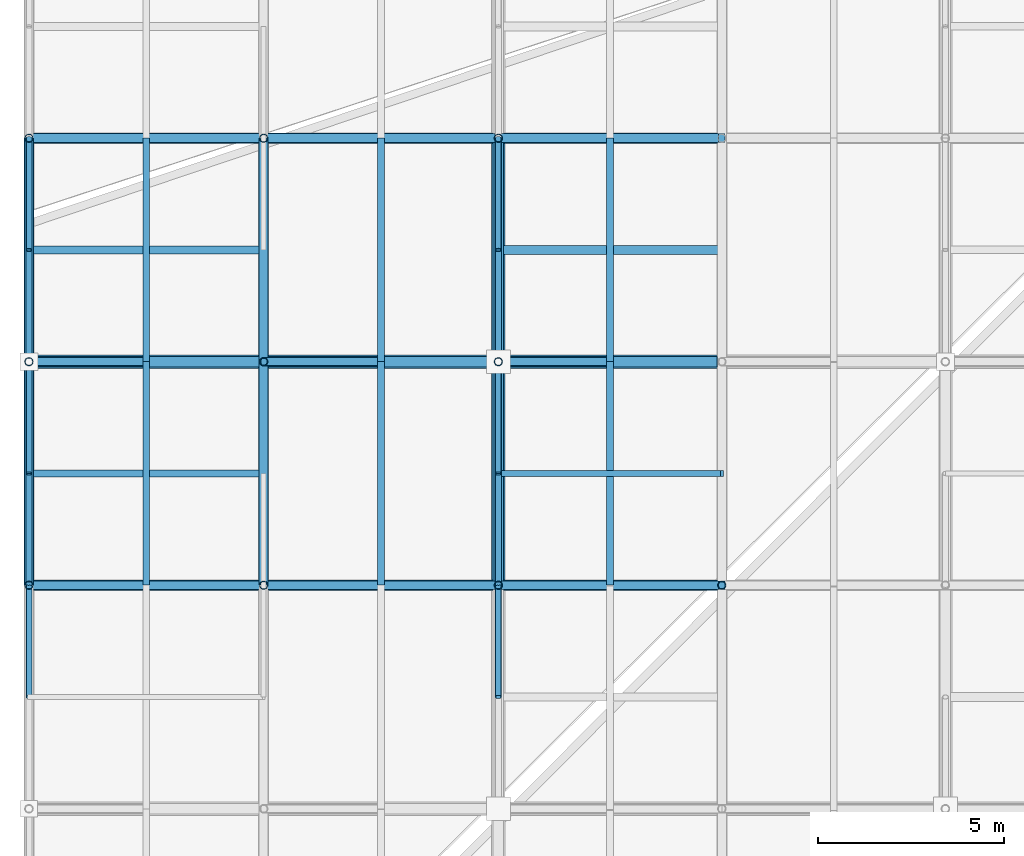
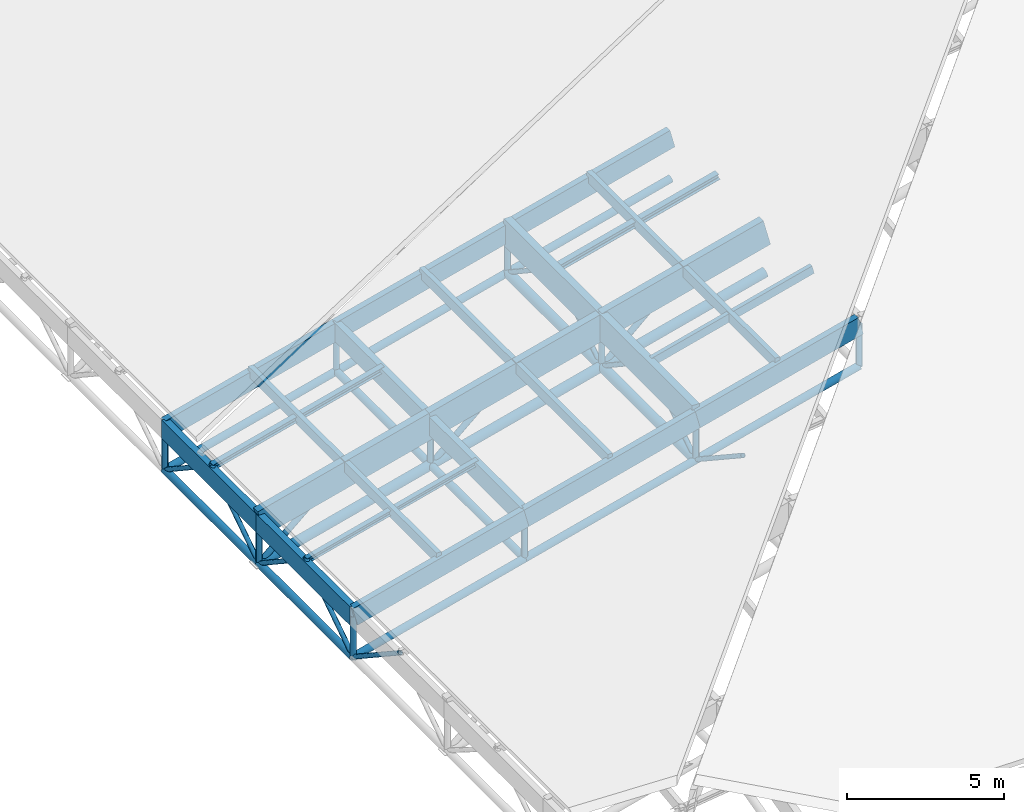
# One storey, part 5 of 80: 63 members.
"""IFC4 building model written with IfcOpenShell, lengths in metres."""

from ifc_helpers import new_model, si_unit, direction, frame, origin, origin_2d, place, context, subcontext, project, spatial, rectangle, hollow_circle, i_section, extrude, material, material_profile, profile_set, type_object, element, save


model = new_model("IFC4")

# Units and contexts
model_context = context("Model", 3, precision=1e-05, world=origin(), true_north=direction((0.0, 1.0)))
body_context = subcontext(model_context, "Body", "Model", "MODEL_VIEW")
ifc_project = project(units=[si_unit("LENGTHUNIT", "METRE"), si_unit("AREAUNIT", "SQUARE_METRE"), si_unit("VOLUMEUNIT", "CUBIC_METRE"), si_unit("PLANEANGLEUNIT", "RADIAN"), si_unit("MASSUNIT", "GRAM", prefix="KILO"), si_unit("THERMODYNAMICTEMPERATUREUNIT", "KELVIN"), si_unit("POWERUNIT", "WATT")], contexts=[model_context])

# Site, building, storey
site_placement = place(None, origin())
site = spatial("IfcSite", under=ifc_project, at=site_placement, CompositionType="ELEMENT")
building_placement = place(site_placement, origin())
building = spatial("IfcBuilding", under=site, at=building_placement, Name="Solmara Park Aquatics Centre", CompositionType="ELEMENT")
storey_placement = place(building_placement, frame((0.0, 0.0, 22.800048828125)))
storey = spatial("IfcBuildingStorey", under=building, at=storey_placement, Name="RF", CompositionType="ELEMENT", Elevation=22.800048828125)

# Members
ifc_material_1 = material(Name="Structural Steel S355", Category="steel")
ifc_material_profile_1 = material_profile(ifc_material_1, hollow_circle(Radius=0.084228515625, WallThickness=0.008056640625, at=origin_2d()), Name="CHS 168.3x8")
ifc_profile_set_1 = profile_set([ifc_material_profile_1], Name="Structural Steel S355")
member_type_1 = type_object("IfcMemberType", Name="STR-BRC-CHS168", PredefinedType="BRACE", material=ifc_profile_set_1)
for number, where, z_axis, x_axis, name in (
    (1, (0.0, 18.60009765625, -14.400146484375), (0.0, -0.834611904619, 0.550838423377), (1.0, 0.0, 0.0), "Roof Truss Web Diagonal Y 1891"),
    (2, (12.60009765625, 18.60009765625, -11.141357421875), (0.0, -0.834611904619, 0.550838423377), (1.0, 0.0, 0.0), "Roof Truss Web Diagonal Y 1893"),
    (3, (0.0, 18.60009765625, -14.400146484375), (0.0, 0.834611904619, 0.550838423377), (-1.0, 0.0, 0.0), "Roof Truss Web Diagonal Y 1913"),
    (4, (0.0, 24.60009765625, -14.400146484375), (0.0, -0.834611904619, 0.550838423377), (1.0, 0.0, 0.0), "Roof Truss Web Diagonal Y 1914"),
    (5, (12.60009765625, 18.60009765625, -11.141357421875), (0.0, 0.834611904619, 0.550838423377), (-1.0, 0.0, 0.0), "Roof Truss Web Diagonal Y 1915"),
    (6, (12.60009765625, 24.60009765625, -11.141357421875), (0.0, -0.834611904619, 0.550838423377), (1.0, 0.0, 0.0), "Roof Truss Web Diagonal Y 1916"),
    (7, (0.0, 24.60009765625, -14.400146484375), (0.0, 0.834611904619, 0.550838423377), (-1.0, 0.0, 0.0), "Roof Truss Web Diagonal Y 1936"),
    (8, (0.0, 30.60009765625, -14.400146484375), (0.0, -0.834611904619, 0.550838423377), (1.0, 0.0, 0.0), "Roof Truss Web Diagonal Y 1937"),
    (9, (12.60009765625, 24.60009765625, -11.141357421875), (0.0, 0.834611904619, 0.550838423377), (-1.0, 0.0, 0.0), "Roof Truss Web Diagonal Y 1938"),
    (10, (12.60009765625, 30.60009765625, -11.141357421875), (0.0, -0.834611904619, 0.550838423377), (1.0, 0.0, 0.0), "Roof Truss Web Diagonal Y 1939"),
):
    element("IfcMember", number, at=place(storey_placement, frame(where, z_axis=z_axis, x_axis=x_axis)), inside=storey, type_object=member_type_1, Name=name, PredefinedType="BRACE", context=body_context, shape_type="SweptSolid", body=[
        extrude(hollow_circle(Radius=0.084228515625, WallThickness=0.008056640625, at=origin_2d()), origin(), (0.0, 0.0, 1.0), 3.594482421875),
    ])
ifc_material_profile_2 = material_profile(ifc_material_1, hollow_circle(Radius=0.109619140625, WallThickness=0.010009765625, at=origin_2d()), Name="CHS 219.1x10")
ifc_profile_set_2 = profile_set([ifc_material_profile_2], Name="Structural Steel S355")
member_type_2 = type_object("IfcMemberType", Name="STR-BRC-CHS219", PredefinedType="BRACE", material=ifc_profile_set_2)
for number, where, z_axis, x_axis, name in (
    (11, (0.0, 24.60009765625, -14.400146484375), (0.752757378615, 0.0, 0.658298054791), (0.0, 1.0, 0.0), "Roof Truss Web Diagonal X 1364"),
    (12, (6.300048828125, 24.60009765625, -12.770751953125), (0.752757378615, 0.0, 0.658298054791), (0.0, 1.0, 0.0), "Roof Truss Web Diagonal X 1388"),
):
    element("IfcMember", number, at=place(storey_placement, frame(where, z_axis=z_axis, x_axis=x_axis)), inside=storey, type_object=member_type_2, Name=name, PredefinedType="BRACE", context=body_context, shape_type="SweptSolid", body=[
        extrude(hollow_circle(Radius=0.109619140625, WallThickness=0.010009765625, at=origin_2d()), origin(), (0.0, 0.0, 1.0), 4.1845703125),
    ])
member_1_placement = place(storey_placement, frame((12.60009765625, 24.60009765625, -11.141357421875), z_axis=(0.741347083846, 0.0, 0.671121822974), x_axis=(0.0, 1.0, 0.0)))
element("IfcMember", 13, at=member_1_placement, inside=storey, type_object=member_type_2, Name="Roof Truss Web Diagonal X 1413", PredefinedType="BRACE", context=body_context, shape_type="SweptSolid", body=[
    extrude(hollow_circle(Radius=0.109619140625, WallThickness=0.010009765625, at=origin_2d()), origin(), (0.0, 0.0, 1.0), 4.046630859375),
])
ifc_material_profile_3 = material_profile(ifc_material_1, hollow_circle(Radius=0.136474609375, WallThickness=0.012451171875, at=origin_2d()), Name="CHS 273x12.5")
ifc_profile_set_3 = profile_set([ifc_material_profile_3], Name="Structural Steel S355")
member_type_3 = type_object("IfcMemberType", Name="STR-CHD-CHS273", PredefinedType="CHORD", material=ifc_profile_set_3)
for number, where, z_axis, x_axis, name in (
    (14, (0.0, 18.60009765625, -14.400146484375), (0.968144245908, 0.0, 0.25039312913), (0.0, 1.0, 0.0), "Steel Roof Truss Bottom Chord X 0110"),
    (15, (6.300048828125, 18.60009765625, -12.770751953125), (0.968144245908, 0.0, 0.25039312913), (0.0, 1.0, 0.0), "Steel Roof Truss Bottom Chord X 0112"),
):
    element("IfcMember", number, at=place(storey_placement, frame(where, z_axis=z_axis, x_axis=x_axis)), inside=storey, type_object=member_type_3, Name=name, PredefinedType="CHORD", context=body_context, shape_type="SweptSolid", body=[
        extrude(hollow_circle(Radius=0.136474609375, WallThickness=0.012451171875, at=origin_2d()), origin(), (0.0, 0.0, 1.0), 6.50732421875),
    ])
member_2_placement = place(storey_placement, frame((12.60009765625, 18.60009765625, -11.141357421875), z_axis=(0.968155143395, 0.0, 0.250350990246), x_axis=(0.0, 1.0, 0.0)))
element("IfcMember", 16, at=member_2_placement, inside=storey, type_object=member_type_3, Name="Steel Roof Truss Bottom Chord X 0114", PredefinedType="CHORD", context=body_context, shape_type="SweptSolid", body=[
    extrude(hollow_circle(Radius=0.136474609375, WallThickness=0.012451171875, at=origin_2d()), origin(), (0.0, 0.0, 1.0), 6.197265625),
])
for number, where, z_axis, x_axis, name in (
    (17, (0.0, 30.60009765625, -14.400146484375), (0.968144245908, 0.0, 0.25039312913), (0.0, 1.0, 0.0), "Steel Roof Truss Bottom Chord X 0182"),
    (18, (6.300048828125, 30.60009765625, -12.770751953125), (0.968144245908, 0.0, 0.25039312913), (0.0, 1.0, 0.0), "Steel Roof Truss Bottom Chord X 0184"),
):
    element("IfcMember", number, at=place(storey_placement, frame(where, z_axis=z_axis, x_axis=x_axis)), inside=storey, type_object=member_type_3, Name=name, PredefinedType="CHORD", context=body_context, shape_type="SweptSolid", body=[
        extrude(hollow_circle(Radius=0.136474609375, WallThickness=0.012451171875, at=origin_2d()), origin(), (0.0, 0.0, 1.0), 6.50732421875),
    ])
member_3_placement = place(storey_placement, frame((12.60009765625, 30.60009765625, -11.141357421875), z_axis=(0.968155143395, 0.0, 0.250350990246), x_axis=(0.0, 1.0, 0.0)))
element("IfcMember", 19, at=member_3_placement, inside=storey, type_object=member_type_3, Name="Steel Roof Truss Bottom Chord X 0186", PredefinedType="CHORD", context=body_context, shape_type="SweptSolid", body=[
    extrude(hollow_circle(Radius=0.136474609375, WallThickness=0.012451171875, at=origin_2d()), origin(), (0.0, 0.0, 1.0), 6.197265625),
])
for number, where, z_axis, x_axis, name in (
    (20, (0.0, 18.60009765625, -14.400146484375), (0.0, 1.0, 0.0), (-1.0, 0.0, 0.0), "Steel Roof Truss Bottom Chord Y 0548"),
    (21, (0.0, 24.60009765625, -14.400146484375), (0.0, 1.0, 0.0), (-1.0, 0.0, 0.0), "Steel Roof Truss Bottom Chord Y 0550"),
    (22, (6.300048828125, 18.60009765625, -12.770751953125), (0.0, 1.0, 0.0), (-1.0, 0.0, 0.0), "Steel Roof Truss Bottom Chord Y 0576"),
    (23, (6.300048828125, 24.60009765625, -12.770751953125), (0.0, 1.0, 0.0), (-1.0, 0.0, 0.0), "Steel Roof Truss Bottom Chord Y 0578"),
):
    element("IfcMember", number, at=place(storey_placement, frame(where, z_axis=z_axis, x_axis=x_axis)), inside=storey, type_object=member_type_3, Name=name, PredefinedType="CHORD", context=body_context, shape_type="SweptSolid", body=[
        extrude(hollow_circle(Radius=0.136474609375, WallThickness=0.012451171875, at=origin_2d()), origin(), (0.0, 0.0, 1.0), 6.0),
    ])
ifc_material_profile_4 = material_profile(ifc_material_1, hollow_circle(Radius=0.177734375, WallThickness=0.01611328125, at=origin_2d()), Name="CHS 355.6x16")
ifc_profile_set_4 = profile_set([ifc_material_profile_4], Name="Structural Steel S355")
member_type_4 = type_object("IfcMemberType", Name="STR-CHD-CHS355", PredefinedType="CHORD", material=ifc_profile_set_4)
for number, where, z_axis, x_axis, name in (
    (24, (0.0, 24.60009765625, -14.400146484375), (0.968144245908, 0.0, 0.25039312913), (0.0, 1.0, 0.0), "Steel Roof Truss Bottom Chord X 0146"),
    (25, (6.300048828125, 24.60009765625, -12.770751953125), (0.968144245908, 0.0, 0.25039312913), (0.0, 1.0, 0.0), "Steel Roof Truss Bottom Chord X 0148"),
):
    element("IfcMember", number, at=place(storey_placement, frame(where, z_axis=z_axis, x_axis=x_axis)), inside=storey, type_object=member_type_4, Name=name, PredefinedType="CHORD", context=body_context, shape_type="SweptSolid", body=[
        extrude(hollow_circle(Radius=0.177734375, WallThickness=0.01611328125, at=origin_2d()), origin(), (0.0, 0.0, 1.0), 6.50732421875),
    ])
member_4_placement = place(storey_placement, frame((12.60009765625, 24.60009765625, -11.141357421875), z_axis=(0.968155143395, 0.0, 0.250350990246), x_axis=(0.0, 1.0, 0.0)))
element("IfcMember", 26, at=member_4_placement, inside=storey, type_object=member_type_4, Name="Steel Roof Truss Bottom Chord X 0150", PredefinedType="CHORD", context=body_context, shape_type="SweptSolid", body=[
    extrude(hollow_circle(Radius=0.177734375, WallThickness=0.01611328125, at=origin_2d()), origin(), (0.0, 0.0, 1.0), 6.197265625),
])
for number, where, z_axis, x_axis, name in (
    (27, (12.60009765625, 18.60009765625, -11.141357421875), (0.0, 1.0, 0.0), (-1.0, 0.0, 0.0), "Steel Roof Truss Bottom Chord Y 0604"),
    (28, (12.60009765625, 24.60009765625, -11.141357421875), (0.0, 1.0, 0.0), (-1.0, 0.0, 0.0), "Steel Roof Truss Bottom Chord Y 0606"),
):
    element("IfcMember", number, at=place(storey_placement, frame(where, z_axis=z_axis, x_axis=x_axis)), inside=storey, type_object=member_type_4, Name=name, PredefinedType="CHORD", context=body_context, shape_type="SweptSolid", body=[
        extrude(hollow_circle(Radius=0.177734375, WallThickness=0.01611328125, at=origin_2d()), origin(), (0.0, 0.0, 1.0), 6.0),
    ])
ifc_material_2 = material(Name="Glulam Timber GL28h", Category="wood")
ifc_material_profile_5 = material_profile(ifc_material_2, rectangle(XDim=0.239990234375, YDim=0.719970703125, at=origin_2d()), Name="GL28h 240x720")
ifc_profile_set_5 = profile_set([ifc_material_profile_5], Name="Glulam Timber GL28h")
member_type_5 = type_object("IfcMemberType", Name="STR-CHD-GL240x720", PredefinedType="CHORD", material=ifc_profile_set_5)
for number, where, z_axis, x_axis, name in (
    (29, (0.0, 18.60009765625, -12.780029296875), (0.968144245908, 0.0, 0.25039312913), (0.0, 1.0, 0.0), "Glulam Roof Truss Top Chord X 0109"),
    (30, (6.300048828125, 18.60009765625, -11.150634765625), (0.96815334027, 0.0, 0.250357963171), (0.0, 1.0, 0.0), "Glulam Roof Truss Top Chord X 0111"),
):
    element("IfcMember", number, at=place(storey_placement, frame(where, z_axis=z_axis, x_axis=x_axis)), inside=storey, type_object=member_type_5, Name=name, PredefinedType="CHORD", context=body_context, shape_type="SweptSolid", body=[
        extrude(rectangle(XDim=0.239990234375, YDim=0.719970703125, at=origin_2d()), origin(), (0.0, 0.0, 1.0), 6.50732421875),
    ])
member_5_placement = place(storey_placement, frame((12.60009765625, 18.60009765625, -9.521484375), z_axis=(0.968145594442, 0.0, 0.250387914969), x_axis=(0.0, 1.0, 0.0)))
element("IfcMember", 31, at=member_5_placement, inside=storey, type_object=member_type_5, Name="Glulam Roof Truss Top Chord X 0113", PredefinedType="CHORD", context=body_context, shape_type="SweptSolid", body=[
    extrude(rectangle(XDim=0.239990234375, YDim=0.719970703125, at=origin_2d()), origin(), (0.0, 0.0, 1.0), 6.197509765625),
])
for number, where, z_axis, x_axis, name in (
    (32, (0.0, 30.60009765625, -12.780029296875), (0.968144245908, 0.0, 0.25039312913), (0.0, 1.0, 0.0), "Glulam Roof Truss Top Chord X 0181"),
    (33, (6.300048828125, 30.60009765625, -11.150634765625), (0.96815334027, 0.0, 0.250357963171), (0.0, 1.0, 0.0), "Glulam Roof Truss Top Chord X 0183"),
):
    element("IfcMember", number, at=place(storey_placement, frame(where, z_axis=z_axis, x_axis=x_axis)), inside=storey, type_object=member_type_5, Name=name, PredefinedType="CHORD", context=body_context, shape_type="SweptSolid", body=[
        extrude(rectangle(XDim=0.239990234375, YDim=0.719970703125, at=origin_2d()), origin(), (0.0, 0.0, 1.0), 6.50732421875),
    ])
member_6_placement = place(storey_placement, frame((12.60009765625, 30.60009765625, -9.521484375), z_axis=(0.968145594442, 0.0, 0.250387914969), x_axis=(0.0, 1.0, 0.0)))
element("IfcMember", 34, at=member_6_placement, inside=storey, type_object=member_type_5, Name="Glulam Roof Truss Top Chord X 0185", PredefinedType="CHORD", context=body_context, shape_type="SweptSolid", body=[
    extrude(rectangle(XDim=0.239990234375, YDim=0.719970703125, at=origin_2d()), origin(), (0.0, 0.0, 1.0), 6.197509765625),
])
for number, where, z_axis, x_axis, name in (
    (35, (0.0, 18.60009765625, -12.780029296875), (0.0, 1.0, 0.0), (-1.0, 0.0, 0.0), "Glulam Roof Truss Top Chord Y 0547"),
    (36, (0.0, 24.60009765625, -12.780029296875), (0.0, 1.0, 0.0), (-1.0, 0.0, 0.0), "Glulam Roof Truss Top Chord Y 0549"),
    (37, (6.300048828125, 18.60009765625, -11.150634765625), (0.0, 1.0, 0.0), (-1.0, 0.0, 0.0), "Glulam Roof Truss Top Chord Y 0575"),
    (38, (6.300048828125, 24.60009765625, -11.150634765625), (0.0, 1.0, 0.0), (-1.0, 0.0, 0.0), "Glulam Roof Truss Top Chord Y 0577"),
):
    element("IfcMember", number, at=place(storey_placement, frame(where, z_axis=z_axis, x_axis=x_axis)), inside=storey, type_object=member_type_5, Name=name, PredefinedType="CHORD", context=body_context, shape_type="SweptSolid", body=[
        extrude(rectangle(XDim=0.239990234375, YDim=0.719970703125, at=origin_2d()), origin(), (0.0, 0.0, 1.0), 6.0),
    ])
ifc_material_profile_6 = material_profile(ifc_material_2, rectangle(XDim=0.280029296875, YDim=1.0400390625, at=origin_2d()), Name="GL28h 280x1040")
ifc_profile_set_6 = profile_set([ifc_material_profile_6], Name="Glulam Timber GL28h")
member_type_6 = type_object("IfcMemberType", Name="STR-CHD-GL280x1040", PredefinedType="CHORD", material=ifc_profile_set_6)
for number, where, z_axis, x_axis, name in (
    (39, (0.0, 24.60009765625, -12.780029296875), (0.968144245908, 0.0, 0.25039312913), (0.0, 1.0, 0.0), "Glulam Roof Truss Top Chord X 0145"),
    (40, (6.300048828125, 24.60009765625, -11.150634765625), (0.96815334027, 0.0, 0.250357963171), (0.0, 1.0, 0.0), "Glulam Roof Truss Top Chord X 0147"),
):
    element("IfcMember", number, at=place(storey_placement, frame(where, z_axis=z_axis, x_axis=x_axis)), inside=storey, type_object=member_type_6, Name=name, PredefinedType="CHORD", context=body_context, shape_type="SweptSolid", body=[
        extrude(rectangle(XDim=0.280029296875, YDim=1.0400390625, at=origin_2d()), origin(), (0.0, 0.0, 1.0), 6.50732421875),
    ])
member_7_placement = place(storey_placement, frame((12.60009765625, 24.60009765625, -9.521484375), z_axis=(0.968145594442, 0.0, 0.250387914969), x_axis=(0.0, 1.0, 0.0)))
element("IfcMember", 41, at=member_7_placement, inside=storey, type_object=member_type_6, Name="Glulam Roof Truss Top Chord X 0149", PredefinedType="CHORD", context=body_context, shape_type="SweptSolid", body=[
    extrude(rectangle(XDim=0.280029296875, YDim=1.0400390625, at=origin_2d()), origin(), (0.0, 0.0, 1.0), 6.197509765625),
])
for number, where, z_axis, x_axis, name in (
    (42, (12.60009765625, 18.60009765625, -9.521484375), (0.0, 1.0, 0.0), (-1.0, 0.0, 0.0), "Glulam Roof Truss Top Chord Y 0603"),
    (43, (12.60009765625, 24.60009765625, -9.521484375), (0.0, 1.0, 0.0), (-1.0, 0.0, 0.0), "Glulam Roof Truss Top Chord Y 0605"),
):
    element("IfcMember", number, at=place(storey_placement, frame(where, z_axis=z_axis, x_axis=x_axis)), inside=storey, type_object=member_type_6, Name=name, PredefinedType="CHORD", context=body_context, shape_type="SweptSolid", body=[
        extrude(rectangle(XDim=0.280029296875, YDim=1.0400390625, at=origin_2d()), origin(), (0.0, 0.0, 1.0), 6.0),
    ])
ifc_material_profile_7 = material_profile(ifc_material_2, rectangle(XDim=0.159912109375, YDim=0.320068359375, at=origin_2d()), Name="GL28h 160x320")
ifc_profile_set_7 = profile_set([ifc_material_profile_7], Name="Glulam Timber GL28h")
member_type_7 = type_object("IfcMemberType", Name="STR-PRL-GL160x320", PredefinedType="PURLIN", material=ifc_profile_set_7)
member_8_placement = place(storey_placement, frame((12.60009765625, 21.60009765625, -9.181396484375), z_axis=(0.968145594442, 0.0, 0.250387914969), x_axis=(0.0, 1.0, 0.0)))
element("IfcMember", 44, at=member_8_placement, inside=storey, type_object=member_type_7, Name="Glulam Secondary Roof Purlin 1905", PredefinedType="PURLIN", context=body_context, shape_type="SweptSolid", body=[
    extrude(rectangle(XDim=0.159912109375, YDim=0.320068359375, at=origin_2d()), origin(), (0.0, 0.0, 1.0), 6.197509765625),
])
ifc_material_profile_8 = material_profile(ifc_material_2, rectangle(XDim=0.179931640625, YDim=0.39990234375, at=origin_2d()), Name="GL28h 180x400")
ifc_profile_set_8 = profile_set([ifc_material_profile_8], Name="Glulam Timber GL28h")
member_type_8 = type_object("IfcMemberType", Name="STR-PRL-GL180x400", PredefinedType="PURLIN", material=ifc_profile_set_8)
for number, where, z_axis, x_axis, name in (
    (45, (3.14990234375, 18.60009765625, -11.6455078125), (0.0, 1.0, 0.0), (-1.0, 0.0, 0.0), "Glulam Roof Purlin 1350"),
    (46, (3.14990234375, 24.60009765625, -11.6455078125), (0.0, 1.0, 0.0), (-1.0, 0.0, 0.0), "Glulam Roof Purlin 1351"),
    (47, (9.449951171875, 18.60009765625, -10.01611328125), (0.0, 1.0, 0.0), (-1.0, 0.0, 0.0), "Glulam Roof Purlin 1374"),
    (48, (9.449951171875, 24.60009765625, -10.01611328125), (0.0, 1.0, 0.0), (-1.0, 0.0, 0.0), "Glulam Roof Purlin 1375"),
    (49, (15.60009765625, 18.60009765625, -8.425537109375), (0.0, 1.0, 0.0), (-1.0, 0.0, 0.0), "Glulam Roof Purlin 1398"),
    (50, (15.60009765625, 24.60009765625, -8.425537109375), (0.0, 1.0, 0.0), (-1.0, 0.0, 0.0), "Glulam Roof Purlin 1399"),
):
    element("IfcMember", number, at=place(storey_placement, frame(where, z_axis=z_axis, x_axis=x_axis)), inside=storey, type_object=member_type_8, Name=name, PredefinedType="PURLIN", context=body_context, shape_type="SweptSolid", body=[
        extrude(rectangle(XDim=0.179931640625, YDim=0.39990234375, at=origin_2d()), origin(), (0.0, 0.0, 1.0), 6.0),
    ])
ifc_material_profile_9 = material_profile(ifc_material_1, i_section(OverallWidth=0.199951171875, OverallDepth=0.18994140625, WebThickness=0.006591796875, FlangeThickness=0.010009765625, FilletRadius=0.01806640625, at=origin_2d()), Name="HEA 200")
ifc_profile_set_9 = profile_set([ifc_material_profile_9], Name="Structural Steel S355")
member_type_9 = type_object("IfcMemberType", Name="STR-PRL-HEA200", PredefinedType="PURLIN", material=ifc_profile_set_9)
member_9_placement = place(storey_placement, frame((0.0, 21.60009765625, -12.43994140625), z_axis=(0.96815334027, 0.0, 0.250357963171), x_axis=(0.0, 1.0, 0.0)))
element("IfcMember", 51, at=member_9_placement, inside=storey, type_object=member_type_9, Name="Glulam Secondary Roof Purlin 1904", PredefinedType="PURLIN", context=body_context, shape_type="SweptSolid", body=[
    extrude(i_section(OverallWidth=0.199951171875, OverallDepth=0.18994140625, WebThickness=0.006591796875, FlangeThickness=0.010009765625, FilletRadius=0.01806640625, at=origin_2d()), origin(), (0.0, 0.0, 1.0), 6.50732421875),
])
ifc_material_profile_10 = material_profile(ifc_material_1, i_section(OverallWidth=0.219970703125, OverallDepth=0.2099609375, WebThickness=0.007080078125, FlangeThickness=0.010986328125, FilletRadius=0.01806640625, at=origin_2d()), Name="HEA 220")
ifc_profile_set_10 = profile_set([ifc_material_profile_10], Name="Structural Steel S355")
member_type_10 = type_object("IfcMemberType", Name="STR-PRL-HEA220", PredefinedType="PURLIN", material=ifc_profile_set_10)
member_10_placement = place(storey_placement, frame((0.0, 27.60009765625, -12.43994140625), z_axis=(0.96815334027, 0.0, 0.250357963171), x_axis=(0.0, 1.0, 0.0)))
element("IfcMember", 52, at=member_10_placement, inside=storey, type_object=member_type_10, Name="Glulam Secondary Roof Purlin 1927", PredefinedType="PURLIN", context=body_context, shape_type="SweptSolid", body=[
    extrude(i_section(OverallWidth=0.219970703125, OverallDepth=0.2099609375, WebThickness=0.007080078125, FlangeThickness=0.010986328125, FilletRadius=0.01806640625, at=origin_2d()), origin(), (0.0, 0.0, 1.0), 6.50732421875),
])
ifc_material_profile_11 = material_profile(ifc_material_1, i_section(OverallWidth=0.239990234375, OverallDepth=0.22998046875, WebThickness=0.007568359375, FlangeThickness=0.011962890625, FilletRadius=0.02099609375, at=origin_2d()), Name="HEA 240")
ifc_profile_set_11 = profile_set([ifc_material_profile_11], Name="Structural Steel S355")
member_type_11 = type_object("IfcMemberType", Name="STR-PRL-HEA240", PredefinedType="PURLIN", material=ifc_profile_set_11)
member_11_placement = place(storey_placement, frame((12.60009765625, 27.60009765625, -9.181396484375), z_axis=(0.968145594442, 0.0, 0.250387914969), x_axis=(0.0, 1.0, 0.0)))
element("IfcMember", 53, at=member_11_placement, inside=storey, type_object=member_type_11, Name="Glulam Secondary Roof Purlin 1928", PredefinedType="PURLIN", context=body_context, shape_type="SweptSolid", body=[
    extrude(i_section(OverallWidth=0.239990234375, OverallDepth=0.22998046875, WebThickness=0.007568359375, FlangeThickness=0.011962890625, FilletRadius=0.02099609375, at=origin_2d()), origin(), (0.0, 0.0, 1.0), 6.197509765625),
])
ifc_material_profile_12 = material_profile(ifc_material_1, hollow_circle(Radius=0.109619140625, WallThickness=0.010009765625, at=origin_2d()), Name="CHS 219.1x10")
ifc_profile_set_12 = profile_set([ifc_material_profile_12], Name="Structural Steel S355")
member_type_12 = type_object("IfcMemberType", Name="STR-PST-CHS219", PredefinedType="POST", material=ifc_profile_set_12)
for number, where, z_axis, x_axis, name in (
    (54, (0.0, 18.60009765625, -14.400146484375), (0.0, 0.0, 1.0), (1.0, 0.0, 0.0), "Roof Truss Web Post 1076"),
    (55, (0.0, 24.60009765625, -14.400146484375), (0.0, 0.0, 1.0), (1.0, 0.0, 0.0), "Roof Truss Web Post 1077"),
    (56, (0.0, 30.60009765625, -14.400146484375), (0.0, 0.0, 1.0), (1.0, 0.0, 0.0), "Roof Truss Web Post 1078"),
    (57, (6.300048828125, 18.60009765625, -12.770751953125), (0.0, 0.0, 1.0), (1.0, 0.0, 0.0), "Roof Truss Web Post 1090"),
    (58, (6.300048828125, 24.60009765625, -12.770751953125), (0.0, 0.0, 1.0), (1.0, 0.0, 0.0), "Roof Truss Web Post 1091"),
    (59, (6.300048828125, 30.60009765625, -12.770751953125), (0.0, 0.0, 1.0), (1.0, 0.0, 0.0), "Roof Truss Web Post 1092"),
):
    element("IfcMember", number, at=place(storey_placement, frame(where, z_axis=z_axis, x_axis=x_axis)), inside=storey, type_object=member_type_12, Name=name, PredefinedType="POST", context=body_context, shape_type="SweptSolid", body=[
        extrude(hollow_circle(Radius=0.109619140625, WallThickness=0.010009765625, at=origin_2d()), origin(), (0.0, 0.0, 1.0), 1.6201171875),
    ])
for number, where, z_axis, x_axis, name in (
    (60, (12.60009765625, 18.60009765625, -11.141357421875), (0.0, 0.0, 1.0), (1.0, 0.0, 0.0), "Roof Truss Web Post 1103"),
    (61, (12.60009765625, 24.60009765625, -11.141357421875), (0.0, 0.0, 1.0), (1.0, 0.0, 0.0), "Roof Truss Web Post 1104"),
    (62, (12.60009765625, 30.60009765625, -11.141357421875), (0.0, 0.0, 1.0), (1.0, 0.0, 0.0), "Roof Truss Web Post 1105"),
):
    element("IfcMember", number, at=place(storey_placement, frame(where, z_axis=z_axis, x_axis=x_axis)), inside=storey, type_object=member_type_12, Name=name, PredefinedType="POST", context=body_context, shape_type="SweptSolid", body=[
        extrude(hollow_circle(Radius=0.109619140625, WallThickness=0.010009765625, at=origin_2d()), origin(), (0.0, 0.0, 1.0), 1.619873046875),
    ])
member_12_placement = place(storey_placement, frame((18.60009765625, 18.60009765625, -9.58984375), z_axis=(0.0, 0.0, 1.0), x_axis=(1.0, 0.0, 0.0)))
element("IfcMember", 63, at=member_12_placement, inside=storey, type_object=member_type_12, Name="Roof Truss Web Post 1117", PredefinedType="POST", context=body_context, shape_type="SweptSolid", body=[
    extrude(hollow_circle(Radius=0.109619140625, WallThickness=0.010009765625, at=origin_2d()), origin(), (0.0, 0.0, 1.0), 1.6201171875),
])

save(model, "model.ifc")
